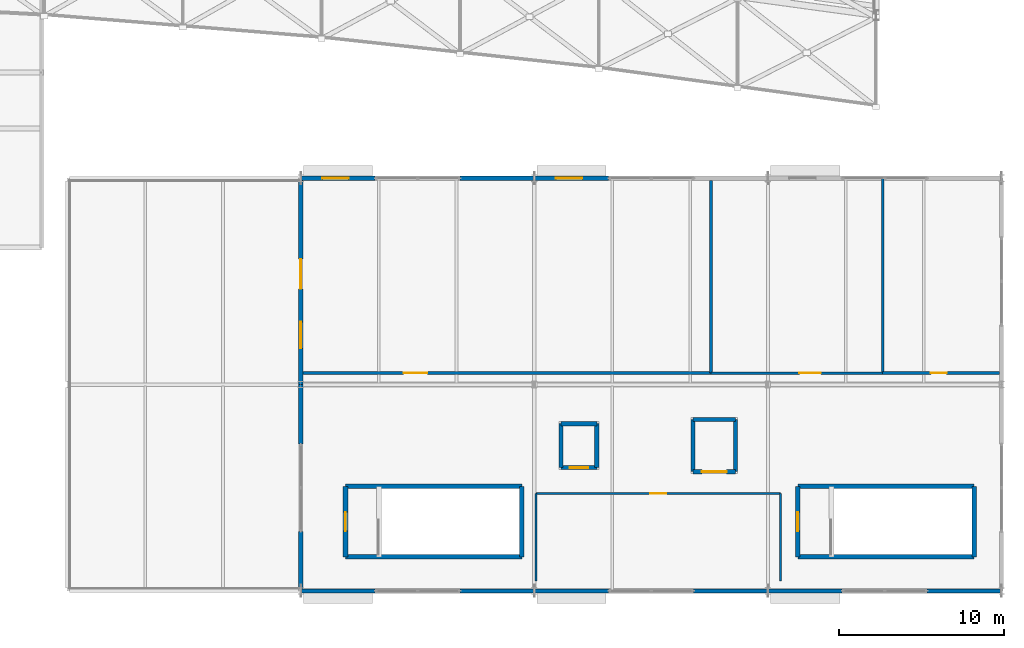
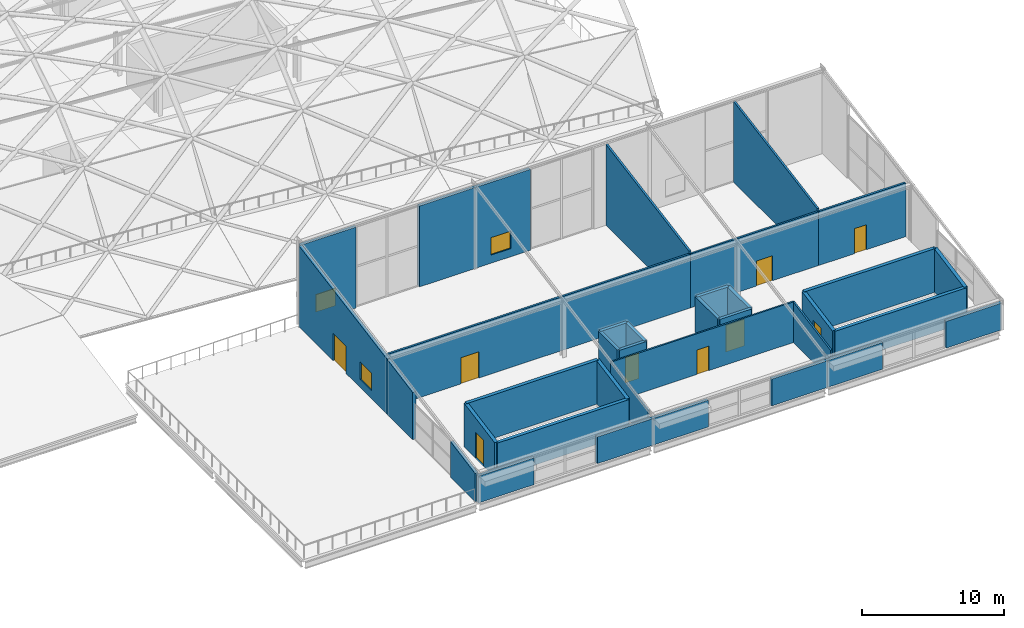
# One storey, part 86 of 100: 36 walls, 9 doors, 3 windows, 12 openings.
"""IFC4 building model written with IfcOpenShell, lengths in metres."""

from ifc_helpers import new_model, si_unit, direction, frame, frame_2d, origin, place, context, subcontext, project, spatial, polyline, rectangle, outline, extrude, material, layer, layer_set, type_object, element, fill, save


model = new_model("IFC4")

# Units and contexts
model_context = context("Model", 3, precision=1e-05, world=origin(), true_north=direction((0.0, 1.0)))
body_context = subcontext(model_context, "Body", "Model", "MODEL_VIEW")
ifc_project = project(units=[si_unit("LENGTHUNIT", "METRE"), si_unit("AREAUNIT", "SQUARE_METRE"), si_unit("VOLUMEUNIT", "CUBIC_METRE"), si_unit("PLANEANGLEUNIT", "RADIAN"), si_unit("MASSUNIT", "GRAM", prefix="KILO")], contexts=[model_context])

# Site, building, storey
site_placement = place(None, origin())
site = spatial("IfcSite", under=ifc_project, at=site_placement, CompositionType="ELEMENT")
building_placement = place(site_placement, origin())
building = spatial("IfcBuilding", under=site, at=building_placement, Name="Kimbaza Rail Terminus", CompositionType="ELEMENT")
storey_placement = place(building_placement, frame((0.0, 0.0, 10.800048828125)))
storey = spatial("IfcBuildingStorey", under=building, at=storey_placement, Name="L02", CompositionType="ELEMENT", Elevation=10.800048828125)

# Wall, opening, window
ifc_material_1 = material(Name="Concrete blockwork C30/37", Category="masonry")
ifc_layer_1 = layer(ifc_material_1, 0.260009765625)
ifc_layer_set_1 = layer_set([ifc_layer_1], Name="Concrete blockwork C30/37")
wall_type_1 = type_object("IfcWallType", Name="ARC-WL-EXT260", PredefinedType="STANDARD", material=ifc_layer_set_1)
wall_1_placement = place(storey_placement, frame((171.550048828125, 38.0, 0.0), z_axis=(0.0, 0.0, 1.0), x_axis=(1.0, 0.0, 0.0)))
wall_1 = element("IfcWall", 1, at=wall_1_placement, inside=storey, type_object=wall_type_1, Name="Pavilion N Wall L02.0A", PredefinedType="STANDARD", context=body_context, shape_type="SweptSolid", body=[
    extrude(rectangle(XDim=4.5, YDim=0.260009765625, at=frame_2d((2.25, 0.0))), origin(), (0.0, 0.0, 1.0), 6.945068359375),
])
opening_1_placement = place(wall_1_placement, frame((1.300048828125, 0.0, 0.699951171875)))
opening_1 = element("IfcOpeningElement", 2, at=opening_1_placement, cuts=wall_1, Name="Opening W-18", PredefinedType="OPENING", context=body_context, shape_type="SweptSolid", body=[
    extrude(rectangle(XDim=1.60009765625, YDim=1.5, at=frame_2d((0.800048828125, 0.75))), frame((0.0, 0.139892578125, 0.0), z_axis=(0.0, -1.0, 0.0), x_axis=(1.0, 0.0, 0.0)), (0.0, 0.0, 1.0), 0.280029296875),
])
ifc_material_2 = material(Name="Thermally broken aluminium and solar low-E glass", Category="aluminium")
window_type = type_object("IfcWindowType", Name="ARC-WIN-W-18", PartitioningType="SINGLE_PANEL", PredefinedType="WINDOW", material=ifc_material_2)
window_1_placement = place(opening_1_placement, origin())
window_1 = element("IfcWindow", 3, at=window_1_placement, inside=storey, type_object=window_type, Name="Pavilion Window L02.1", OverallHeight=1.5, OverallWidth=1.60009765625, PartitioningType="SINGLE_PANEL", PredefinedType="WINDOW", context=body_context, shape_type="SweptSolid", body=[
    extrude(rectangle(XDim=1.60009765625, YDim=1.5, at=frame_2d((0.800048828125, 0.75))), frame((0.0, 0.030029296875, 0.0), z_axis=(0.0, -1.0, 0.0), x_axis=(1.0, 0.0, 0.0)), (0.0, 0.0, 1.0), 0.06005859375),
])
fill(opening_1, window_1)

# Wall
wall_2_placement = place(storey_placement, frame((181.199951171875, 38.0, 0.0), z_axis=(0.0, 0.0, 1.0), x_axis=(1.0, 0.0, 0.0)))
element("IfcWall", 4, at=wall_2_placement, inside=storey, type_object=wall_type_1, Name="Pavilion N Wall L02.0B", PredefinedType="STANDARD", context=body_context, shape_type="SweptSolid", body=[
    extrude(rectangle(XDim=4.5, YDim=0.260009765625, at=frame_2d((2.25, 0.0))), origin(), (0.0, 0.0, 1.0), 6.945068359375),
])

# Wall, opening, window
wall_3_placement = place(storey_placement, frame((185.699951171875, 38.0, 0.0), z_axis=(0.0, 0.0, 1.0), x_axis=(1.0, 0.0, 0.0)))
wall_3 = element("IfcWall", 5, at=wall_3_placement, inside=storey, type_object=wall_type_1, Name="Pavilion N Wall L02.1A", PredefinedType="STANDARD", context=body_context, shape_type="SweptSolid", body=[
    extrude(rectangle(XDim=4.5, YDim=0.260009765625, at=frame_2d((2.25, 0.0))), origin(), (0.0, 0.0, 1.0), 6.945068359375),
])
opening_2_placement = place(wall_3_placement, frame((1.300048828125, 0.0, 0.699951171875)))
opening_2 = element("IfcOpeningElement", 6, at=opening_2_placement, cuts=wall_3, Name="Opening W-18", PredefinedType="OPENING", context=body_context, shape_type="SweptSolid", body=[
    extrude(rectangle(XDim=1.60009765625, YDim=1.5, at=frame_2d((0.800048828125, 0.75))), frame((0.0, 0.139892578125, 0.0), z_axis=(0.0, -1.0, 0.0), x_axis=(1.0, 0.0, 0.0)), (0.0, 0.0, 1.0), 0.280029296875),
])
window_2_placement = place(opening_2_placement, origin())
window_2 = element("IfcWindow", 7, at=window_2_placement, inside=storey, type_object=window_type, Name="Pavilion Window L02.2", OverallHeight=1.5, OverallWidth=1.60009765625, PartitioningType="SINGLE_PANEL", PredefinedType="WINDOW", context=body_context, shape_type="SweptSolid", body=[
    extrude(rectangle(XDim=1.60009765625, YDim=1.5, at=frame_2d((0.800048828125, 0.75))), frame((0.0, 0.030029296875, 0.0), z_axis=(0.0, -1.0, 0.0), x_axis=(1.0, 0.0, 0.0)), (0.0, 0.0, 1.0), 0.06005859375),
])
fill(opening_2, window_2)

# Walls
for number, where, z_axis, x_axis, name in (
    (8, (171.550048828125, 13.0, 0.0), (0.0, 0.0, 1.0), (1.0, 0.0, 0.0), "Pavilion S Wall L02.0A"),
    (9, (181.199951171875, 13.0, 0.0), (0.0, 0.0, 1.0), (1.0, 0.0, 0.0), "Pavilion S Wall L02.0B"),
    (10, (185.699951171875, 13.0, 0.0), (0.0, 0.0, 1.0), (1.0, 0.0, 0.0), "Pavilion S Wall L02.1A"),
    (11, (195.35009765625, 13.0, 0.0), (0.0, 0.0, 1.0), (1.0, 0.0, 0.0), "Pavilion S Wall L02.1B"),
    (12, (199.85009765625, 13.0, 0.0), (0.0, 0.0, 1.0), (1.0, 0.0, 0.0), "Pavilion S Wall L02.2A"),
    (13, (209.5, 13.0, 0.0), (0.0, 0.0, 1.0), (1.0, 0.0, 0.0), "Pavilion S Wall L02.2B"),
):
    element("IfcWall", number, at=place(storey_placement, frame(where, z_axis=z_axis, x_axis=x_axis)), inside=storey, type_object=wall_type_1, Name=name, PredefinedType="STANDARD", context=body_context, shape_type="SweptSolid", body=[
        extrude(rectangle(XDim=4.5, YDim=0.260009765625, at=frame_2d((2.25, 0.0))), origin(), (0.0, 0.0, 1.0), 2.294921875),
    ])
wall_4_placement = place(storey_placement, frame((171.550048828125, 13.1298828125, 0.0), z_axis=(0.0, 0.0, 1.0), x_axis=(0.0, 1.0, 0.0)))
element("IfcWall", 14, at=wall_4_placement, inside=storey, type_object=wall_type_1, Name="Pavilion W Pier L02.0", PredefinedType="STANDARD", context=body_context, shape_type="SweptSolid", body=[
    extrude(outline(polyline([(0.0, 0.0), (3.47021484375, 0.0), (3.469970703125, 3.0673828125), (0.0, 2.421875), (0.0, 0.0)])), frame((0.0, 0.1298828125, 0.0), z_axis=(0.0, -1.0, 0.0), x_axis=(1.0, 0.0, 0.0)), (0.0, 0.0, 1.0), 0.260009765625),
])
wall_5_placement = place(storey_placement, frame((171.550048828125, 21.89990234375, 0.0), z_axis=(0.0, 0.0, 1.0), x_axis=(0.0, 1.0, 0.0)))
element("IfcWall", 15, at=wall_5_placement, inside=storey, type_object=wall_type_1, Name="Pavilion W Corner L02.0", PredefinedType="STANDARD", context=body_context, shape_type="SweptSolid", body=[
    extrude(outline(polyline([(0.0, 0.0), (3.60009765625, 0.0), (3.60009765625, 4.722900390625), (0.0, 4.05322265625), (0.0, 0.0)])), frame((0.0, 0.1298828125, 0.0), z_axis=(0.0, -1.0, 0.0), x_axis=(1.0, 0.0, 0.0)), (0.0, 0.0, 1.0), 0.260009765625),
])

# Wall, openings, door, window
wall_6_placement = place(storey_placement, frame((171.550048828125, 25.5, 0.0), z_axis=(0.0, 0.0, 1.0), x_axis=(0.0, 1.0, 0.0)))
wall_6 = element("IfcWall", 16, at=wall_6_placement, inside=storey, type_object=wall_type_1, Name="Panorama Cafe Terrace Wall", PredefinedType="STANDARD", context=body_context, shape_type="SweptSolid", body=[
    extrude(outline(polyline([(0.0, 0.0), (12.3701171875, 0.0), (12.3701171875, 6.945068359375), (0.0, 4.722900390625), (0.0, 0.0)])), frame((0.0, 0.1298828125, 0.0), z_axis=(0.0, -1.0, 0.0), x_axis=(1.0, 0.0, 0.0)), (0.0, 0.0, 1.0), 0.260009765625),
])
opening_3_placement = place(wall_6_placement, frame((5.800048828125, 0.0, 0.0)))
opening_3 = element("IfcOpeningElement", 17, at=opening_3_placement, cuts=wall_6, Name="Opening D-TR1", PredefinedType="OPENING", context=body_context, shape_type="SweptSolid", body=[
    extrude(rectangle(XDim=1.800048828125, YDim=2.35009765625, at=frame_2d((0.89990234375, 1.175048828125))), frame((0.0, 0.139892578125, 0.0), z_axis=(0.0, -1.0, 0.0), x_axis=(1.0, 0.0, 0.0)), (0.0, 0.0, 1.0), 0.280029296875),
])
opening_4_placement = place(wall_6_placement, frame((2.199951171875, 0.0, 0.699951171875)))
opening_4 = element("IfcOpeningElement", 18, at=opening_4_placement, cuts=wall_6, Name="Opening W-18", PredefinedType="OPENING", context=body_context, shape_type="SweptSolid", body=[
    extrude(rectangle(XDim=1.60009765625, YDim=1.5, at=frame_2d((0.800048828125, 0.75))), frame((0.0, 0.139892578125, 0.0), z_axis=(0.0, -1.0, 0.0), x_axis=(1.0, 0.0, 0.0)), (0.0, 0.0, 1.0), 0.280029296875),
])
ifc_material_3 = material(Name="Thermally broken aluminium glazed terrace door", Category="aluminium")
door_type_1 = type_object("IfcDoorType", Name="ARC-DR-TER18", OperationType="NOTDEFINED", PredefinedType="DOOR", material=ifc_material_3)
door_1_placement = place(opening_3_placement, origin())
door_1 = element("IfcDoor", 19, at=door_1_placement, inside=storey, type_object=door_type_1, Name="DR-TER-V4L02", OperationType="SINGLE_SWING_LEFT", OverallHeight=2.35009765625, OverallWidth=1.800048828125, PredefinedType="DOOR", context=body_context, shape_type="SweptSolid", body=[
    extrude(rectangle(XDim=1.800048828125, YDim=2.35009765625, at=frame_2d((0.89990234375, 1.175048828125))), frame((0.0, 0.02490234375, 0.0), z_axis=(0.0, -1.0, 0.0), x_axis=(1.0, 0.0, 0.0)), (0.0, 0.0, 1.0), 0.050048828125),
])
fill(opening_3, door_1)
window_3_placement = place(opening_4_placement, origin())
window_3 = element("IfcWindow", 20, at=window_3_placement, inside=storey, type_object=window_type, Name="Courtyard Cafe Terrace Window", OverallHeight=1.5, OverallWidth=1.60009765625, PartitioningType="SINGLE_PANEL", PredefinedType="WINDOW", context=body_context, shape_type="SweptSolid", body=[
    extrude(rectangle(XDim=1.60009765625, YDim=1.5, at=frame_2d((0.800048828125, 0.75))), frame((0.0, 0.030029296875, 0.0), z_axis=(0.0, -1.0, 0.0), x_axis=(1.0, 0.0, 0.0)), (0.0, 0.0, 1.0), 0.06005859375),
])
fill(opening_4, window_3)

# Wall
ifc_material_4 = material(Name="Acoustic gypsum stud partition", Category="gypsum")
ifc_layer_2 = layer(ifc_material_4, 0.1298828125)
ifc_layer_set_2 = layer_set([ifc_layer_2], Name="Acoustic gypsum stud partition")
wall_type_2 = type_object("IfcWallType", Name="ARC-WL-PART130", PredefinedType="PARTITIONING", material=ifc_layer_set_2)
wall_7_placement = place(storey_placement, frame((200.60009765625, 13.60009765625, 0.0), z_axis=(0.0, 0.0, 1.0), x_axis=(0.0, 1.0, 0.0)))
element("IfcWall", 21, at=wall_7_placement, inside=storey, type_object=wall_type_2, Name="Rail Travelers Quiet Salon Partition (east)", PredefinedType="PARTITIONING", context=body_context, shape_type="SweptSolid", body=[
    extrude(outline(polyline([(0.0, 0.0), (5.2998046875, 0.0), (5.300048828125, 3.490234375), (0.0, 2.50439453125), (0.0, 0.0)])), frame((0.0, 0.06494140625, 0.0), z_axis=(0.0, -1.0, 0.0), x_axis=(1.0, 0.0, 0.0)), (0.0, 0.0, 1.0), 0.1298828125),
])

# Wall, opening, door
wall_8_placement = place(storey_placement, frame((200.60009765625, 18.89990234375, 0.0), z_axis=(0.0, 0.0, 1.0), x_axis=(-1.0, 0.0, 0.0)))
wall_8 = element("IfcWall", 22, at=wall_8_placement, inside=storey, type_object=wall_type_2, Name="Rail Travelers Quiet Salon Partition (north)", PredefinedType="PARTITIONING", context=body_context, shape_type="SweptSolid", body=[
    extrude(rectangle(XDim=14.800048828125, YDim=0.1298828125, at=frame_2d((7.39990234375, 0.0))), origin(), (0.0, 0.0, 1.0), 3.490234375),
])
opening_5_placement = place(wall_8_placement, frame((7.889892578125, 0.0, 0.0), z_axis=(0.0, 0.0, 1.0), x_axis=(-1.0, 0.0, 0.0)))
opening_5 = element("IfcOpeningElement", 23, at=opening_5_placement, cuts=wall_8, Name="Opening ID-10", PredefinedType="OPENING", context=body_context, shape_type="SweptSolid", body=[
    extrude(rectangle(XDim=0.97998046875, YDim=2.10009765625, at=frame_2d((0.489990234375, 1.050048828125))), frame((0.0, 0.074951171875, 0.0), z_axis=(0.0, -1.0, 0.0), x_axis=(1.0, 0.0, 0.0)), (0.0, 0.0, 1.0), 0.14990234375),
])
ifc_material_5 = material(Name="Washroom suite privacy door", Category="wood")
door_type_2 = type_object("IfcDoorType", Name="ARC-DR-ID098", OperationType="NOTDEFINED", PredefinedType="DOOR", material=ifc_material_5)
door_2_placement = place(opening_5_placement, origin())
door_2 = element("IfcDoor", 24, at=door_2_placement, inside=storey, type_object=door_type_2, Name="IDR-SPC-V4-L02-VIP", OperationType="SINGLE_SWING_RIGHT", OverallHeight=2.10009765625, OverallWidth=0.97998046875, PredefinedType="DOOR", context=body_context, shape_type="SweptSolid", body=[
    extrude(rectangle(XDim=0.97998046875, YDim=2.10009765625, at=frame_2d((0.489990234375, 1.050048828125))), frame((0.0, 0.02490234375, 0.0), z_axis=(0.0, -1.0, 0.0), x_axis=(1.0, 0.0, 0.0)), (0.0, 0.0, 1.0), 0.050048828125),
])
fill(opening_5, door_2)

# Wall
wall_9_placement = place(storey_placement, frame((185.800048828125, 18.89990234375, 0.0), z_axis=(0.0, 0.0, 1.0), x_axis=(0.0, -1.0, 0.0)))
element("IfcWall", 25, at=wall_9_placement, inside=storey, type_object=wall_type_2, Name="Rail Travelers Quiet Salon Partition (west)", PredefinedType="PARTITIONING", context=body_context, shape_type="SweptSolid", body=[
    extrude(outline(polyline([(0.0, 0.0), (5.2998046875, 0.0), (5.300048828125, 2.50439453125), (0.0, 3.490234375), (0.0, 0.0)])), frame((0.0, 0.06494140625, 0.0), z_axis=(0.0, -1.0, 0.0), x_axis=(1.0, 0.0, 0.0)), (0.0, 0.0, 1.0), 0.1298828125),
])

# Wall, opening, door
ifc_material_6 = material(Name="Acoustic gypsum stud partition", Category="gypsum")
ifc_layer_3 = layer(ifc_material_6, 0.14990234375)
ifc_layer_set_3 = layer_set([ifc_layer_3], Name="Acoustic gypsum stud partition")
wall_type_3 = type_object("IfcWallType", Name="ARC-WL-PART150", PredefinedType="PARTITIONING", material=ifc_layer_set_3)
wall_10_placement = place(storey_placement, frame((196.39990234375, 26.199951171875, 0.0), z_axis=(0.0, 0.0, 1.0), x_axis=(1.0, 0.0, 0.0)))
wall_10 = element("IfcWall", 26, at=wall_10_placement, inside=storey, type_object=wall_type_3, Name="Roastery Bar and Pastry Counter Partition (south)", PredefinedType="PARTITIONING", context=body_context, shape_type="SweptSolid", body=[
    extrude(rectangle(XDim=10.400146484375, YDim=0.14990234375, at=frame_2d((5.2001953125, 0.0))), origin(), (0.0, 0.0, 1.0), 4.619873046875),
])
opening_6_placement = place(wall_10_placement, frame((5.35009765625, 0.0, 0.0)))
opening_6 = element("IfcOpeningElement", 27, at=opening_6_placement, cuts=wall_10, Name="Opening ID-08", PredefinedType="OPENING", context=body_context, shape_type="SweptSolid", body=[
    extrude(rectangle(XDim=1.300048828125, YDim=2.14990234375, at=frame_2d((0.64990234375, 1.074951171875))), frame((0.0, 0.0849609375, 0.0), z_axis=(0.0, -1.0, 0.0), x_axis=(1.0, 0.0, 0.0)), (0.0, 0.0, 1.0), 0.169921875),
])
ifc_material_7 = material(Name="Training classroom acoustic door", Category="wood")
door_type_3 = type_object("IfcDoorType", Name="ARC-DR-ID130", OperationType="NOTDEFINED", PredefinedType="DOOR", material=ifc_material_7)
door_3_placement = place(opening_6_placement, origin())
door_3 = element("IfcDoor", 28, at=door_3_placement, inside=storey, type_object=door_type_3, Name="IDR-SPC-V4-L02-BAR", OperationType="SINGLE_SWING_RIGHT", OverallHeight=2.14990234375, OverallWidth=1.300048828125, PredefinedType="DOOR", context=body_context, shape_type="SweptSolid", body=[
    extrude(rectangle(XDim=1.300048828125, YDim=2.14990234375, at=frame_2d((0.64990234375, 1.074951171875))), frame((0.0, 0.02490234375, 0.0), z_axis=(0.0, -1.0, 0.0), x_axis=(1.0, 0.0, 0.0)), (0.0, 0.0, 1.0), 0.050048828125),
])
fill(opening_6, door_3)

# Wall
wall_11_placement = place(storey_placement, frame((206.800048828125, 26.199951171875, 0.0), z_axis=(0.0, 0.0, 1.0), x_axis=(0.0, 1.0, 0.0)))
element("IfcWall", 29, at=wall_11_placement, inside=storey, type_object=wall_type_3, Name="Roastery Bar and Pastry Counter Partition (east)", PredefinedType="PARTITIONING", context=body_context, shape_type="SweptSolid", body=[
    extrude(outline(polyline([(0.0, 0.0), (11.780029296875, 0.0), (11.780029296875, 6.93994140625), (0.0, 4.84814453125), (0.0, 0.0)])), frame((0.0, 0.074951171875, 0.0), z_axis=(0.0, -1.0, 0.0), x_axis=(1.0, 0.0, 0.0)), (0.0, 0.0, 1.0), 0.14990234375),
])

# Wall, opening, door
ifc_material_8 = material(Name="Acoustic gypsum stud partition", Category="gypsum")
ifc_layer_4 = layer(ifc_material_8, 0.159912109375)
ifc_layer_set_4 = layer_set([ifc_layer_4], Name="Acoustic gypsum stud partition")
wall_type_4 = type_object("IfcWallType", Name="ARC-WL-PART160", PredefinedType="PARTITIONING", material=ifc_layer_set_4)
wall_12_placement = place(storey_placement, frame((171.679931640625, 26.199951171875, 0.0), z_axis=(0.0, 0.0, 1.0), x_axis=(1.0, 0.0, 0.0)))
wall_12 = element("IfcWall", 30, at=wall_12_placement, inside=storey, type_object=wall_type_4, Name="Panorama Courtyard Cafe Lounge Partition (south)", PredefinedType="PARTITIONING", context=body_context, shape_type="SweptSolid", body=[
    extrude(rectangle(XDim=24.719970703125, YDim=0.159912109375, at=frame_2d((12.35986328125, 0.0))), origin(), (0.0, 0.0, 1.0), 4.619873046875),
])
opening_7_placement = place(wall_12_placement, frame((7.544921875, 0.0, 0.0), z_axis=(0.0, 0.0, 1.0), x_axis=(-1.0, 0.0, 0.0)))
opening_7 = element("IfcOpeningElement", 31, at=opening_7_placement, cuts=wall_12, Name="Opening ID-07", PredefinedType="OPENING", context=body_context, shape_type="SweptSolid", body=[
    extrude(rectangle(XDim=1.449951171875, YDim=2.25, at=frame_2d((0.72509765625, 1.125))), frame((0.0, 0.08984375, 0.0), z_axis=(0.0, -1.0, 0.0), x_axis=(1.0, 0.0, 0.0)), (0.0, 0.0, 1.0), 0.179931640625),
])
ifc_material_9 = material(Name="Retail shopfront glazed entrance door", Category="aluminium")
door_type_4 = type_object("IfcDoorType", Name="ARC-DR-ID145", OperationType="NOTDEFINED", PredefinedType="DOOR", material=ifc_material_9)
door_4_placement = place(opening_7_placement, origin())
door_4 = element("IfcDoor", 32, at=door_4_placement, inside=storey, type_object=door_type_4, Name="IDR-SPC-V4-L02-CAF", OperationType="SINGLE_SWING_LEFT", OverallHeight=2.25, OverallWidth=1.449951171875, PredefinedType="DOOR", context=body_context, shape_type="SweptSolid", body=[
    extrude(rectangle(XDim=1.449951171875, YDim=2.25, at=frame_2d((0.72509765625, 1.125))), frame((0.0, 0.02490234375, 0.0), z_axis=(0.0, -1.0, 0.0), x_axis=(1.0, 0.0, 0.0)), (0.0, 0.0, 1.0), 0.050048828125),
])
fill(opening_7, door_4)

# Wall
wall_13_placement = place(storey_placement, frame((196.39990234375, 26.199951171875, 0.0), z_axis=(0.0, 0.0, 1.0), x_axis=(0.0, 1.0, 0.0)))
element("IfcWall", 33, at=wall_13_placement, inside=storey, type_object=wall_type_4, Name="Panorama Courtyard Cafe Lounge Partition (east)", PredefinedType="PARTITIONING", context=body_context, shape_type="SweptSolid", body=[
    extrude(outline(polyline([(0.0, 0.0), (11.670166015625, 0.0), (11.669921875, 6.93994140625), (0.0, 4.84814453125), (0.0, 0.0)])), frame((0.0, 0.080078125, 0.0), z_axis=(0.0, -1.0, 0.0), x_axis=(1.0, 0.0, 0.0)), (0.0, 0.0, 1.0), 0.159912109375),
])

# Wall, opening, door
ifc_material_10 = material(Name="Moisture-resistant blockwork C25/30", Category="masonry")
ifc_layer_5 = layer(ifc_material_10, 0.169921875)
ifc_layer_set_5 = layer_set([ifc_layer_5], Name="Moisture-resistant blockwork C25/30")
wall_type_5 = type_object("IfcWallType", Name="ARC-WL-PLMB170", PredefinedType="PLUMBINGWALL", material=ifc_layer_set_5)
wall_14_placement = place(storey_placement, frame((206.800048828125, 26.199951171875, 0.0), z_axis=(0.0, 0.0, 1.0), x_axis=(1.0, 0.0, 0.0)))
wall_14 = element("IfcWall", 34, at=wall_14_placement, inside=storey, type_object=wall_type_5, Name="Panorama Cafe Accessible WC Partition (south)", PredefinedType="PLUMBINGWALL", context=body_context, shape_type="SweptSolid", body=[
    extrude(rectangle(XDim=7.070068359375, YDim=0.169921875, at=frame_2d((3.53515625, 0.0))), origin(), (0.0, 0.0, 1.0), 4.619873046875),
])
opening_8_placement = place(wall_14_placement, frame((2.925048828125, 0.0, 0.0)))
opening_8 = element("IfcOpeningElement", 35, at=opening_8_placement, cuts=wall_14, Name="Opening ID-06", PredefinedType="OPENING", context=body_context, shape_type="SweptSolid", body=[
    extrude(rectangle(XDim=0.949951171875, YDim=2.14990234375, at=frame_2d((0.47509765625, 1.074951171875))), frame((0.0, 0.094970703125, 0.0), z_axis=(0.0, -1.0, 0.0), x_axis=(1.0, 0.0, 0.0)), (0.0, 0.0, 1.0), 0.18994140625),
])
ifc_material_11 = material(Name="Accessible washroom outward-capable door", Category="wood")
door_type_5 = type_object("IfcDoorType", Name="ARC-DR-ID095", OperationType="NOTDEFINED", PredefinedType="DOOR", material=ifc_material_11)
door_5_placement = place(opening_8_placement, origin())
door_5 = element("IfcDoor", 36, at=door_5_placement, inside=storey, type_object=door_type_5, Name="IDR-SPC-V4-L02-WC", OperationType="SINGLE_SWING_LEFT", OverallHeight=2.14990234375, OverallWidth=0.949951171875, PredefinedType="DOOR", context=body_context, shape_type="SweptSolid", body=[
    extrude(rectangle(XDim=0.949951171875, YDim=2.14990234375, at=frame_2d((0.47509765625, 1.074951171875))), frame((0.0, 0.02490234375, 0.0), z_axis=(0.0, -1.0, 0.0), x_axis=(1.0, 0.0, 0.0)), (0.0, 0.0, 1.0), 0.050048828125),
])
fill(opening_8, door_5)

ifc_material_12 = material(Name="Concrete C40/50", Category="concrete")
ifc_layer_6 = layer(ifc_material_12, 0.25)
ifc_layer_set_6 = layer_set([ifc_layer_6], Name="Concrete C40/50")
wall_type_6 = type_object("IfcWallType", Name="STR-WL-CORE250", PredefinedType="SHEAR", material=ifc_layer_set_6)
wall_15_placement = place(storey_placement, frame((187.320068359375, 20.469970703125, 0.0), z_axis=(0.0, 0.0, 1.0), x_axis=(1.0, 0.0, 0.0)))
wall_15 = element("IfcWall", 37, at=wall_15_placement, inside=storey, type_object=wall_type_6, Name="Lift Shaft Wall LP-07 L02-1", PredefinedType="SHEAR", context=body_context, shape_type="SweptSolid", body=[
    extrude(rectangle(XDim=2.159912109375, YDim=0.25, at=frame_2d((1.080078125, 0.0))), origin(), (0.0, 0.0, 1.0), 3.050048828125),
])
opening_9_placement = place(wall_15_placement, frame((0.530029296875, 0.0, 0.0)))
opening_9 = element("IfcOpeningElement", 38, at=opening_9_placement, cuts=wall_15, Name="Opening LD-01", PredefinedType="OPENING", context=body_context, shape_type="SweptSolid", body=[
    extrude(rectangle(XDim=1.10009765625, YDim=2.199951171875, at=frame_2d((0.550048828125, 1.10009765625))), frame((0.0, 0.135009765625, 0.0), z_axis=(0.0, -1.0, 0.0), x_axis=(1.0, 0.0, 0.0)), (0.0, 0.0, 1.0), 0.27001953125),
])
ifc_material_13 = material(Name="Brushed stainless steel sliding landing door", Category="steel")
door_type_6 = type_object("IfcDoorType", Name="ARC-DR-LD110", OperationType="NOTDEFINED", PredefinedType="DOOR", material=ifc_material_13)
door_6_placement = place(opening_9_placement, origin())
door_6 = element("IfcDoor", 39, at=door_6_placement, inside=storey, type_object=door_type_6, Name="LDR-LP-07-L02", OperationType="SLIDING_TO_LEFT", OverallHeight=2.199951171875, OverallWidth=1.10009765625, PredefinedType="DOOR", context=body_context, shape_type="SweptSolid", body=[
    extrude(rectangle(XDim=1.10009765625, YDim=2.199951171875, at=frame_2d((0.550048828125, 1.10009765625))), frame((0.0, 0.02490234375, 0.0), z_axis=(0.0, -1.0, 0.0), x_axis=(1.0, 0.0, 0.0)), (0.0, 0.0, 1.0), 0.050048828125),
])
fill(opening_9, door_6)

# Walls
wall_16_placement = place(storey_placement, frame((189.47998046875, 20.469970703125, 0.0), z_axis=(0.0, 0.0, 1.0), x_axis=(0.0, 1.0, 0.0)))
element("IfcWall", 40, at=wall_16_placement, inside=storey, type_object=wall_type_6, Name="Lift Shaft Wall LP-07 L02-2", PredefinedType="SHEAR", context=body_context, shape_type="SweptSolid", body=[
    extrude(rectangle(XDim=2.659912109375, YDim=0.25, at=frame_2d((1.330078125, 0.0))), origin(), (0.0, 0.0, 1.0), 3.050048828125),
])
wall_17_placement = place(storey_placement, frame((189.47998046875, 23.1298828125, 0.0), z_axis=(0.0, 0.0, 1.0), x_axis=(-1.0, 0.0, 0.0)))
element("IfcWall", 41, at=wall_17_placement, inside=storey, type_object=wall_type_6, Name="Lift Shaft Wall LP-07 L02-3", PredefinedType="SHEAR", context=body_context, shape_type="SweptSolid", body=[
    extrude(rectangle(XDim=2.159912109375, YDim=0.25, at=frame_2d((1.080078125, 0.0))), origin(), (0.0, 0.0, 1.0), 3.050048828125),
])
wall_18_placement = place(storey_placement, frame((187.320068359375, 23.1298828125, 0.0), z_axis=(0.0, 0.0, 1.0), x_axis=(0.0, -1.0, 0.0)))
element("IfcWall", 42, at=wall_18_placement, inside=storey, type_object=wall_type_6, Name="Lift Shaft Wall LP-07 L02-4", PredefinedType="SHEAR", context=body_context, shape_type="SweptSolid", body=[
    extrude(rectangle(XDim=2.659912109375, YDim=0.25, at=frame_2d((1.330078125, 0.0))), origin(), (0.0, 0.0, 1.0), 3.050048828125),
])

# Wall, opening, door
wall_19_placement = place(storey_placement, frame((195.320068359375, 20.219970703125, 0.0), z_axis=(0.0, 0.0, 1.0), x_axis=(1.0, 0.0, 0.0)))
wall_19 = element("IfcWall", 43, at=wall_19_placement, inside=storey, type_object=wall_type_6, Name="Lift Shaft Wall LG-02 L02-1", PredefinedType="SHEAR", context=body_context, shape_type="SweptSolid", body=[
    extrude(rectangle(XDim=2.559814453125, YDim=0.25, at=frame_2d((1.27978515625, 0.0))), origin(), (0.0, 0.0, 1.0), 3.050048828125),
])
opening_10_placement = place(wall_19_placement, frame((0.530029296875, 0.0, 0.0)))
opening_10 = element("IfcOpeningElement", 44, at=opening_10_placement, cuts=wall_19, Name="Opening LD-03", PredefinedType="OPENING", context=body_context, shape_type="SweptSolid", body=[
    extrude(rectangle(XDim=1.5, YDim=2.300048828125, at=frame_2d((0.75, 1.14990234375))), frame((0.0, 0.135009765625, 0.0), z_axis=(0.0, -1.0, 0.0), x_axis=(1.0, 0.0, 0.0)), (0.0, 0.0, 1.0), 0.27001953125),
])
ifc_material_14 = material(Name="Heavy goods stainless steel landing door", Category="steel")
door_type_7 = type_object("IfcDoorType", Name="ARC-DR-LD150", OperationType="NOTDEFINED", PredefinedType="DOOR", material=ifc_material_14)
door_7_placement = place(opening_10_placement, origin())
door_7 = element("IfcDoor", 45, at=door_7_placement, inside=storey, type_object=door_type_7, Name="LDR-LG-02-L02", OperationType="SLIDING_TO_LEFT", OverallHeight=2.300048828125, OverallWidth=1.5, PredefinedType="DOOR", context=body_context, shape_type="SweptSolid", body=[
    extrude(rectangle(XDim=1.5, YDim=2.300048828125, at=frame_2d((0.75, 1.14990234375))), frame((0.0, 0.02490234375, 0.0), z_axis=(0.0, -1.0, 0.0), x_axis=(1.0, 0.0, 0.0)), (0.0, 0.0, 1.0), 0.050048828125),
])
fill(opening_10, door_7)

# Walls
wall_20_placement = place(storey_placement, frame((197.8798828125, 20.219970703125, 0.0), z_axis=(0.0, 0.0, 1.0), x_axis=(0.0, 1.0, 0.0)))
element("IfcWall", 46, at=wall_20_placement, inside=storey, type_object=wall_type_6, Name="Lift Shaft Wall LG-02 L02-2", PredefinedType="SHEAR", context=body_context, shape_type="SweptSolid", body=[
    extrude(rectangle(XDim=3.159912109375, YDim=0.25, at=frame_2d((1.580078125, 0.0))), origin(), (0.0, 0.0, 1.0), 3.050048828125),
])
wall_21_placement = place(storey_placement, frame((197.8798828125, 23.3798828125, 0.0), z_axis=(0.0, 0.0, 1.0), x_axis=(-1.0, 0.0, 0.0)))
element("IfcWall", 47, at=wall_21_placement, inside=storey, type_object=wall_type_6, Name="Lift Shaft Wall LG-02 L02-3", PredefinedType="SHEAR", context=body_context, shape_type="SweptSolid", body=[
    extrude(rectangle(XDim=2.559814453125, YDim=0.25, at=frame_2d((1.27978515625, 0.0))), origin(), (0.0, 0.0, 1.0), 3.050048828125),
])
wall_22_placement = place(storey_placement, frame((195.320068359375, 23.3798828125, 0.0), z_axis=(0.0, 0.0, 1.0), x_axis=(0.0, -1.0, 0.0)))
element("IfcWall", 48, at=wall_22_placement, inside=storey, type_object=wall_type_6, Name="Lift Shaft Wall LG-02 L02-4", PredefinedType="SHEAR", context=body_context, shape_type="SweptSolid", body=[
    extrude(rectangle(XDim=3.159912109375, YDim=0.25, at=frame_2d((1.580078125, 0.0))), origin(), (0.0, 0.0, 1.0), 3.050048828125),
])
ifc_material_15 = material(Name="Concrete C40/50", Category="concrete")
ifc_layer_7 = layer(ifc_material_15, 0.280029296875)
ifc_layer_set_7 = layer_set([ifc_layer_7], Name="Concrete C40/50")
wall_type_7 = type_object("IfcWallType", Name="STR-WL-CORE280", PredefinedType="SHEAR", material=ifc_layer_set_7)
wall_23_placement = place(storey_placement, frame((174.260009765625, 15.06005859375, 0.0), z_axis=(0.0, 0.0, 1.0), x_axis=(1.0, 0.0, 0.0)))
element("IfcWall", 49, at=wall_23_placement, inside=storey, type_object=wall_type_7, Name="Retail Pavilion West Stair Shaft Wall L02-1", PredefinedType="SHEAR", context=body_context, shape_type="SweptSolid", body=[
    extrude(rectangle(XDim=10.679931640625, YDim=0.280029296875, at=frame_2d((5.33984375, 0.0))), origin(), (0.0, 0.0, 1.0), 2.9423828125),
])
wall_24_placement = place(storey_placement, frame((184.93994140625, 15.06005859375, 0.0), z_axis=(0.0, 0.0, 1.0), x_axis=(0.0, 1.0, 0.0)))
element("IfcWall", 50, at=wall_24_placement, inside=storey, type_object=wall_type_7, Name="Retail Pavilion West Stair Shaft Wall L02-2", PredefinedType="SHEAR", context=body_context, shape_type="SweptSolid", body=[
    extrude(outline(polyline([(0.0, 0.0), (4.280029296875, 0.0), (4.280029296875, 3.738525390625), (0.0, 2.9423828125), (0.0, 0.0)])), frame((0.0, 0.14013671875, 0.0), z_axis=(0.0, -1.0, 0.0), x_axis=(1.0, 0.0, 0.0)), (0.0, 0.0, 1.0), 0.280029296875),
])
wall_25_placement = place(storey_placement, frame((184.93994140625, 19.340087890625, 0.0), z_axis=(0.0, 0.0, 1.0), x_axis=(-1.0, 0.0, 0.0)))
element("IfcWall", 51, at=wall_25_placement, inside=storey, type_object=wall_type_7, Name="Retail Pavilion West Stair Shaft Wall L02-3", PredefinedType="SHEAR", context=body_context, shape_type="SweptSolid", body=[
    extrude(rectangle(XDim=10.679931640625, YDim=0.280029296875, at=frame_2d((5.33984375, 0.0))), origin(), (0.0, 0.0, 1.0), 3.738525390625),
])

# Wall, opening, door
wall_26_placement = place(storey_placement, frame((174.260009765625, 19.340087890625, 0.0), z_axis=(0.0, 0.0, 1.0), x_axis=(0.0, -1.0, 0.0)))
wall_26 = element("IfcWall", 52, at=wall_26_placement, inside=storey, type_object=wall_type_7, Name="Retail Pavilion West Stair Shaft Wall L02-4", PredefinedType="SHEAR", context=body_context, shape_type="SweptSolid", body=[
    extrude(outline(polyline([(0.0, 0.0), (4.280029296875, 0.0), (4.280029296875, 2.9423828125), (0.0, 3.738525390625), (0.0, 0.0)])), frame((0.0, 0.14013671875, 0.0), z_axis=(0.0, -1.0, 0.0), x_axis=(1.0, 0.0, 0.0)), (0.0, 0.0, 1.0), 0.280029296875),
])
opening_11_placement = place(wall_26_placement, frame((1.56494140625, 0.0, 0.0)))
opening_11 = element("IfcOpeningElement", 53, at=opening_11_placement, cuts=wall_26, Name="Opening FD-03", PredefinedType="OPENING", context=body_context, shape_type="SweptSolid", body=[
    extrude(rectangle(XDim=1.14990234375, YDim=2.199951171875, at=frame_2d((0.574951171875, 1.10009765625))), frame((0.0, 0.14990234375, 0.0), z_axis=(0.0, -1.0, 0.0), x_axis=(1.0, 0.0, 0.0)), (0.0, 0.0, 1.0), 0.300048828125),
])
ifc_material_16 = material(Name="Firefighting lobby self-closing steel door", Category="steel")
door_type_8 = type_object("IfcDoorType", Name="ARC-DR-FD115", OperationType="NOTDEFINED", PredefinedType="DOOR", material=ifc_material_16)
door_8_placement = place(opening_11_placement, origin())
door_8 = element("IfcDoor", 54, at=door_8_placement, inside=storey, type_object=door_type_8, Name="SDR-ST-P1-L02", OperationType="SINGLE_SWING_LEFT", OverallHeight=2.199951171875, OverallWidth=1.14990234375, PredefinedType="DOOR", context=body_context, shape_type="SweptSolid", body=[
    extrude(rectangle(XDim=1.14990234375, YDim=2.199951171875, at=frame_2d((0.574951171875, 1.10009765625))), frame((0.0, 0.02490234375, 0.0), z_axis=(0.0, -1.0, 0.0), x_axis=(1.0, 0.0, 0.0)), (0.0, 0.0, 1.0), 0.050048828125),
])
fill(opening_11, door_8)

# Walls
wall_27_placement = place(storey_placement, frame((201.659912109375, 15.06005859375, 0.0), z_axis=(0.0, 0.0, 1.0), x_axis=(1.0, 0.0, 0.0)))
element("IfcWall", 55, at=wall_27_placement, inside=storey, type_object=wall_type_7, Name="Retail Pavilion East Stair Shaft Wall L02-1", PredefinedType="SHEAR", context=body_context, shape_type="SweptSolid", body=[
    extrude(rectangle(XDim=10.68017578125, YDim=0.280029296875, at=frame_2d((5.340087890625, 0.0))), origin(), (0.0, 0.0, 1.0), 2.9423828125),
])
wall_28_placement = place(storey_placement, frame((212.340087890625, 15.06005859375, 0.0), z_axis=(0.0, 0.0, 1.0), x_axis=(0.0, 1.0, 0.0)))
element("IfcWall", 56, at=wall_28_placement, inside=storey, type_object=wall_type_7, Name="Retail Pavilion East Stair Shaft Wall L02-2", PredefinedType="SHEAR", context=body_context, shape_type="SweptSolid", body=[
    extrude(outline(polyline([(0.0, 0.0), (4.280029296875, 0.0), (4.280029296875, 3.738525390625), (0.0, 2.9423828125), (0.0, 0.0)])), frame((0.0, 0.14013671875, 0.0), z_axis=(0.0, -1.0, 0.0), x_axis=(1.0, 0.0, 0.0)), (0.0, 0.0, 1.0), 0.280029296875),
])
wall_29_placement = place(storey_placement, frame((212.340087890625, 19.340087890625, 0.0), z_axis=(0.0, 0.0, 1.0), x_axis=(-1.0, 0.0, 0.0)))
element("IfcWall", 57, at=wall_29_placement, inside=storey, type_object=wall_type_7, Name="Retail Pavilion East Stair Shaft Wall L02-3", PredefinedType="SHEAR", context=body_context, shape_type="SweptSolid", body=[
    extrude(rectangle(XDim=10.68017578125, YDim=0.280029296875, at=frame_2d((5.340087890625, 0.0))), origin(), (0.0, 0.0, 1.0), 3.738525390625),
])

# Wall, opening, door
wall_30_placement = place(storey_placement, frame((201.659912109375, 19.340087890625, 0.0), z_axis=(0.0, 0.0, 1.0), x_axis=(0.0, -1.0, 0.0)))
wall_30 = element("IfcWall", 58, at=wall_30_placement, inside=storey, type_object=wall_type_7, Name="Retail Pavilion East Stair Shaft Wall L02-4", PredefinedType="SHEAR", context=body_context, shape_type="SweptSolid", body=[
    extrude(outline(polyline([(0.0, 0.0), (4.280029296875, 0.0), (4.280029296875, 2.9423828125), (0.0, 3.738525390625), (0.0, 0.0)])), frame((0.0, 0.14013671875, 0.0), z_axis=(0.0, -1.0, 0.0), x_axis=(1.0, 0.0, 0.0)), (0.0, 0.0, 1.0), 0.280029296875),
])
opening_12_placement = place(wall_30_placement, frame((1.56494140625, 0.0, 0.0)))
opening_12 = element("IfcOpeningElement", 59, at=opening_12_placement, cuts=wall_30, Name="Opening FD-03", PredefinedType="OPENING", context=body_context, shape_type="SweptSolid", body=[
    extrude(rectangle(XDim=1.14990234375, YDim=2.199951171875, at=frame_2d((0.574951171875, 1.10009765625))), frame((0.0, 0.14990234375, 0.0), z_axis=(0.0, -1.0, 0.0), x_axis=(1.0, 0.0, 0.0)), (0.0, 0.0, 1.0), 0.300048828125),
])
door_9_placement = place(opening_12_placement, origin())
door_9 = element("IfcDoor", 60, at=door_9_placement, inside=storey, type_object=door_type_8, Name="SDR-ST-P2-L02", OperationType="SINGLE_SWING_RIGHT", OverallHeight=2.199951171875, OverallWidth=1.14990234375, PredefinedType="DOOR", context=body_context, shape_type="SweptSolid", body=[
    extrude(rectangle(XDim=1.14990234375, YDim=2.199951171875, at=frame_2d((0.574951171875, 1.10009765625))), frame((0.0, 0.02490234375, 0.0), z_axis=(0.0, -1.0, 0.0), x_axis=(1.0, 0.0, 0.0)), (0.0, 0.0, 1.0), 0.050048828125),
])
fill(opening_12, door_9)

save(model, "model.ifc")
